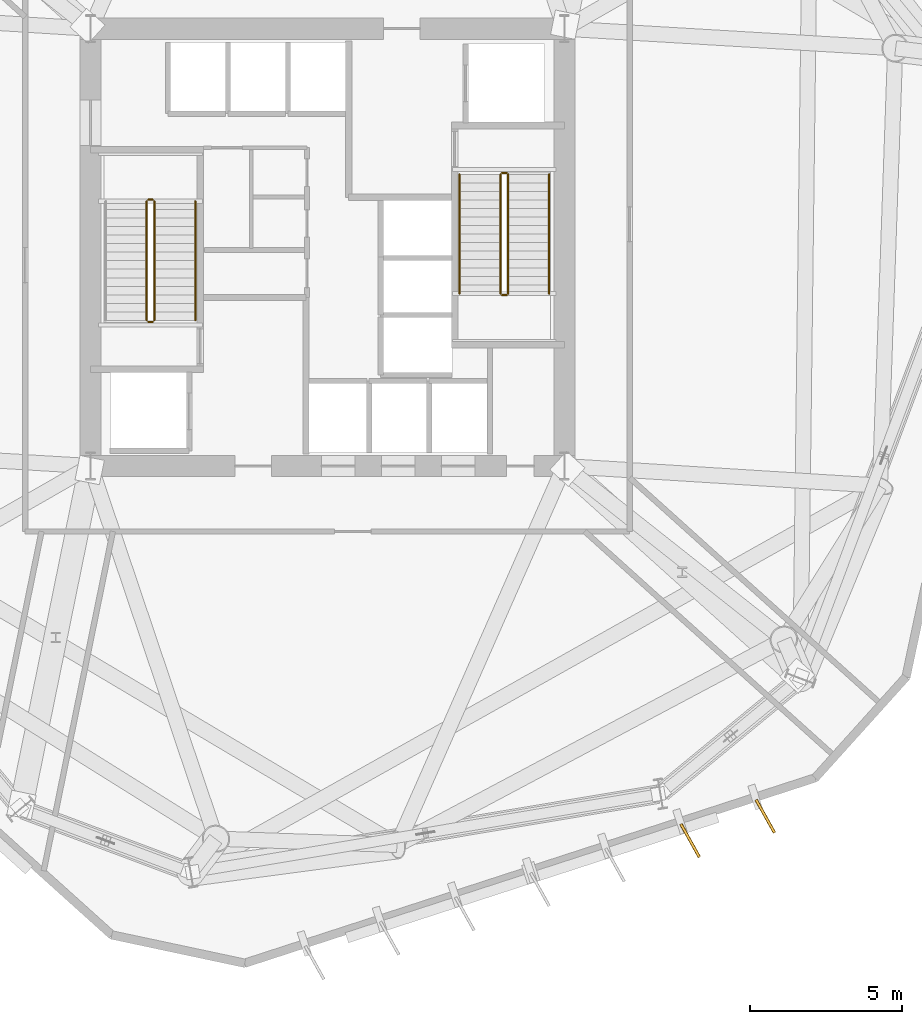
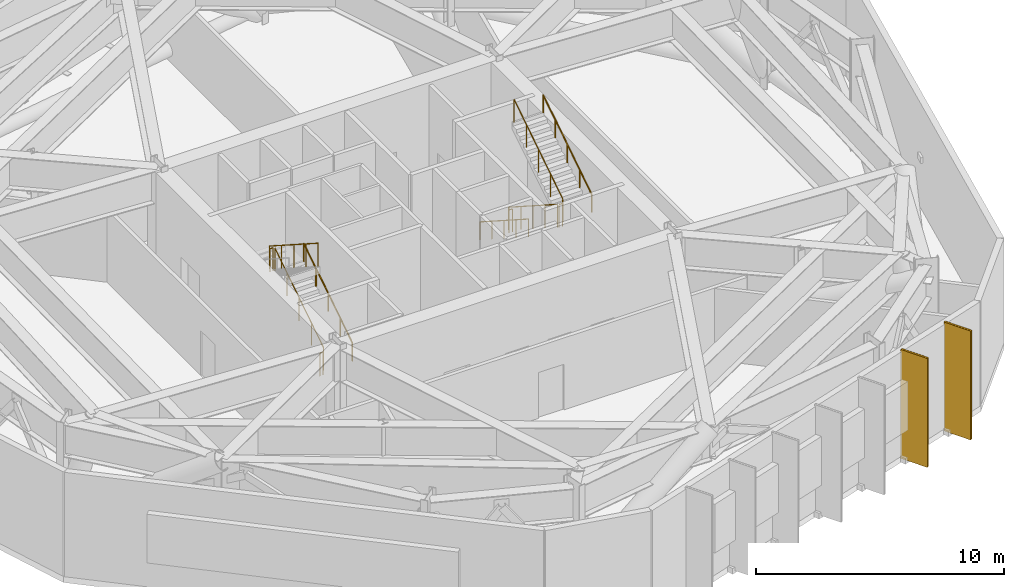
# One storey, part 11 of 12: 11 railings, 2 coverings, 2 shading devices.
"""IFC4 building model written with IfcOpenShell, lengths in metres."""

import ifcopenshell
import ifcopenshell.guid

model = None  # the IFC model being written
_history = None  # IfcOwnerHistory: only IFC2X3 demands one
_inside = {}  # id of a spatial element -> (the spatial element, [elements in it])
_under = {}  # id of a project, library or spatial element -> (it, [spatial elements below it])
_declared = {}  # id of a project -> (the project, [libraries it declares])
_typed = {}  # id of a type object -> (the type object, [elements of that type])
_made_of = {}  # id of a material, layer set ... -> (it, [elements and type objects made of it])


def new_model(schema):
    """Start an empty IFC model of exactly this schema.

    Asked for "IFC4X3", IfcOpenShell would pick the latest addendum, in which some entities
    have other attributes; the version numbers below select the first issue.
    IFC2X3 requires an IfcOwnerHistory on every rooted entity: one is made here for all.
    """
    global model, _history
    if schema == "IFC4X3":
        model = ifcopenshell.file(schema_version=(4, 3, 0, 0))
    else:
        model = ifcopenshell.file(schema=schema)
    _inside.clear()
    _under.clear()
    _declared.clear()
    _typed.clear()
    _made_of.clear()
    _history = None
    if model.schema == "IFC2X3":
        org = make("IfcOrganization", Name="unknown")
        user = make(
            "IfcPersonAndOrganization",
            ThePerson=make("IfcPerson", FamilyName="unknown"),
            TheOrganization=org,
        )
        app = make(
            "IfcApplication",
            ApplicationDeveloper=org,
            Version="unknown",
            ApplicationFullName="unknown",
            ApplicationIdentifier="unknown",
        )
        _history = make(
            "IfcOwnerHistory",
            OwningUser=user,
            OwningApplication=app,
            ChangeAction="ADDED",
            CreationDate=0,
        )
    return model


def make(cls, **values):
    """One entity of the class cls with the attributes given. An attribute that is None is left unset."""
    return model.create_entity(
        cls, **{name: value for name, value in values.items() if value is not None}
    )


def rooted(cls, **values):
    """An entity with a GlobalId (a new one), such as an element, a storey or a relation."""
    return make(cls, GlobalId=ifcopenshell.guid.new(), OwnerHistory=_history, **values)


def si_unit(unit_type, name, prefix=None):
    """IfcSIUnit, for example si_unit("LENGTHUNIT", "METRE", prefix="MILLI")."""
    return make("IfcSIUnit", UnitType=unit_type, Prefix=prefix, Name=name)


def assignment(units):
    """IfcUnitAssignment: the units of a project."""
    return None if units is None else make("IfcUnitAssignment", Units=units)


def point(xyz):
    """IfcCartesianPoint."""
    return None if xyz is None else make("IfcCartesianPoint", Coordinates=xyz)


def direction(xyz):
    """IfcDirection."""
    return None if xyz is None else make("IfcDirection", DirectionRatios=xyz)


def frame(location, z_axis=None, x_axis=None):
    """IfcAxis2Placement3D, a coordinate frame: its origin and axes. An axis left out is left unset."""
    return make(
        "IfcAxis2Placement3D",
        Location=point(location),
        Axis=direction(z_axis),
        RefDirection=direction(x_axis),
    )


def frame_2d(location, x_axis=None):
    """IfcAxis2Placement2D, a coordinate frame in the plane: its origin and x axis."""
    return make(
        "IfcAxis2Placement2D", Location=point(location), RefDirection=direction(x_axis)
    )


def origin():
    """The frame at (0, 0, 0) with its axes left unset."""
    return frame((0.0, 0.0, 0.0))


def origin_2d():
    """The frame at (0, 0) in the plane with its x axis left unset."""
    return frame_2d((0.0, 0.0))


def place(relative_to, where):
    """IfcLocalPlacement: puts the frame where relative to a parent placement (None: the world)."""
    return make(
        "IfcLocalPlacement", PlacementRelTo=relative_to, RelativePlacement=where
    )


def context(
    kind, dimensions, precision=None, world=None, true_north=None, identifier=None
):
    """IfcGeometricRepresentationContext, for example the 3D "Model" context."""
    return make(
        "IfcGeometricRepresentationContext",
        ContextIdentifier=identifier,
        ContextType=kind,
        CoordinateSpaceDimension=dimensions,
        Precision=precision,
        WorldCoordinateSystem=world,
        TrueNorth=true_north,
    )


def subcontext(parent, identifier, kind, view, scale=None):
    """IfcGeometricRepresentationSubContext, for example "Body" below "Model"."""
    return make(
        "IfcGeometricRepresentationSubContext",
        ContextIdentifier=identifier,
        ContextType=kind,
        ParentContext=parent,
        TargetScale=scale,
        TargetView=view,
    )


def project(units=None, contexts=None):
    """IfcProject with its units and contexts."""
    return rooted(
        "IfcProject",
        Name="project",
        RepresentationContexts=contexts,
        UnitsInContext=assignment(units),
    )


def spatial(cls, under=None, at=None, **own):
    """A site, building, storey or space (cls), placed at a placement, below another one or the project."""
    s = rooted(cls, ObjectPlacement=at, **own)
    if under is not None:
        _under.setdefault(under.id(), (under, []))[1].append(s)
    return s


def profile(cls, at=None, kind="AREA", **sizes):
    """A parametric profile (cls). Its sizes go by their IFC names, for example OverallWidth=200.0."""
    return make(cls, ProfileType=kind, Position=at, **sizes)


def rectangle(**sizes):
    """IfcRectangleProfileDef."""
    return profile("IfcRectangleProfileDef", **sizes)


def circle(**sizes):
    """IfcCircleProfileDef."""
    return profile("IfcCircleProfileDef", **sizes)


def extrude(swept, where, along, depth):
    """IfcExtrudedAreaSolid: the profile swept, set in the frame where, extruded along a direction by depth."""
    return make(
        "IfcExtrudedAreaSolid",
        SweptArea=swept,
        Position=where,
        ExtrudedDirection=direction(along),
        Depth=depth,
    )


def shape(context_of_items, identifier, shape_type, items):
    """IfcShapeRepresentation: the items that make up one representation, for example the "Body"."""
    return make(
        "IfcShapeRepresentation",
        ContextOfItems=context_of_items,
        RepresentationIdentifier=identifier,
        RepresentationType=shape_type,
        Items=items,
    )


def material(Name=None, Category=None):
    """IfcMaterial."""
    return make("IfcMaterial", Name=Name, Category=Category)


def layer(
    of_material, thickness, ventilated=None, Name=None, Category=None, Priority=None
):
    """IfcMaterialLayer: one layer of a wall or slab, of a material (None: an air gap)."""
    return make(
        "IfcMaterialLayer",
        Material=of_material,
        LayerThickness=thickness,
        IsVentilated=ventilated,
        Name=Name,
        Category=Category,
        Priority=Priority,
    )


def layer_set(layers, Name=None):
    """IfcMaterialLayerSet."""
    return make("IfcMaterialLayerSet", MaterialLayers=layers, LayerSetName=Name)


def made_of(thing, what):
    """Note that an element or type object is made of a material, layer set ...; save() writes the relation."""
    if what is not None:
        _made_of.setdefault(what.id(), (what, []))[1].append(thing)
    return thing


def type_object(cls, material=None, **own):
    """A type object (cls), such as IfcWallType, which elements share."""
    return made_of(rooted(cls, **own), material)


def element(
    cls,
    number,
    at=None,
    inside=None,
    cuts=None,
    type_object=None,
    material=None,
    context=None,
    identifier="Body",
    shape_type=None,
    held_by="IfcProductDefinitionShape",
    body=None,
    shapes=None,
    **own,
):
    """One element of the class cls, such as IfcWall. Its Tag is "e" and its number.

    at: its placement. inside: the storey or other place that contains it. cuts: it is an
    opening in that element (IfcRelVoidsElement). A single representation is given by context,
    identifier, shape_type and body (its items); several are given by shapes. held_by: the class
    of the entity that holds the representations. save() writes the other relations.
    """
    e = rooted(cls, Tag="e%d" % number, ObjectPlacement=at, **own)
    if body is not None:
        shapes = [shape(context, identifier, shape_type, body)]
    if shapes is not None:
        e.Representation = make(held_by, Representations=shapes)
    if inside is not None:
        _inside.setdefault(inside.id(), (inside, []))[1].append(e)
    if cuts is not None:
        rooted(
            "IfcRelVoidsElement", RelatingBuildingElement=cuts, RelatedOpeningElement=e
        )
    if type_object is not None:
        _typed.setdefault(type_object.id(), (type_object, []))[1].append(e)
    return made_of(e, material)


def aggregate(whole, parts):
    """IfcRelAggregates: a whole, such as a stair, and the parts it consists of."""
    return rooted("IfcRelAggregates", RelatingObject=whole, RelatedObjects=parts)


def save(model, path):
    """Write the relations noted so far, then the file.

    IfcRelAggregates (storeys below a building ...), IfcRelContainedInSpatialStructure (elements
    in a storey), IfcRelDefinesByType, IfcRelAssociatesMaterial and IfcRelDeclares: one each for
    every whole, place, type object, material and project.
    """
    for whole, parts in _under.values():
        aggregate(whole, parts)
    for where, things in _inside.values():
        rooted(
            "IfcRelContainedInSpatialStructure",
            RelatedElements=things,
            RelatingStructure=where,
        )
    for kind, things in _typed.values():
        rooted("IfcRelDefinesByType", RelatedObjects=things, RelatingType=kind)
    for what, things in _made_of.values():
        rooted("IfcRelAssociatesMaterial", RelatedObjects=things, RelatingMaterial=what)
    for by, libraries in _declared.values():
        rooted("IfcRelDeclares", RelatingContext=by, RelatedDefinitions=libraries)
    model.write(path)


model = new_model("IFC4")

# Units and contexts
model_context = context("Model", 3, precision=1e-05, world=origin(), true_north=direction((0.0, 1.0)))
body_context = subcontext(model_context, "Body", "Model", "MODEL_VIEW")
ifc_project = project(units=[si_unit("LENGTHUNIT", "METRE"), si_unit("AREAUNIT", "SQUARE_METRE"), si_unit("VOLUMEUNIT", "CUBIC_METRE"), si_unit("PLANEANGLEUNIT", "RADIAN"), si_unit("MASSUNIT", "GRAM", prefix="KILO")], contexts=[model_context])

# Site, building, storey
site_placement = place(None, origin())
site = spatial("IfcSite", under=ifc_project, at=site_placement, CompositionType="ELEMENT")
building_placement = place(site_placement, origin())
building = spatial("IfcBuilding", under=site, at=building_placement, Name="Kranzbogen Civic Tower", CompositionType="ELEMENT")
storey_placement = place(building_placement, frame((0.0, 0.0, 92.0)))
storey = spatial("IfcBuildingStorey", under=building, at=storey_placement, Name="L22", CompositionType="ELEMENT", Elevation=92.0)

# Coverings
ifc_material_1 = material(Name="Pale Anodised Aluminium", Category="aluminium")
ifc_layer = layer(ifc_material_1, 0.02490234375, Name="Pale Anodised Aluminium")
ifc_layer_set = layer_set([ifc_layer], Name="Pale Anodised Aluminium")
covering_type = type_object("IfcCoveringType", Name="Anodised Aluminium Vertical Fin Cladding 25 mm", PredefinedType="CLADDING", material=ifc_layer_set)
for number, where, z_axis, x_axis, name in (
    (1, (36.93994140625, 5.470947265625, -0.14013671875), (0.0, 0.0, 1.0), (0.487524445167, -0.873109337577, 0.0), "L22 vertical fin pale-metal cladding F5-6"),
    (2, (39.4130859375, 6.27392578125, -0.14013671875), (0.0, 0.0, 1.0), (0.487524445167, -0.873109337577, 0.0), "L22 vertical fin pale-metal cladding F5-7"),
):
    element("IfcCovering", number, at=place(storey_placement, frame(where, z_axis=z_axis, x_axis=x_axis)), inside=storey, type_object=covering_type, Name=name, PredefinedType="CLADDING", context=body_context, shape_type="SweptSolid", body=[
        extrude(rectangle(XDim=1.25, YDim=0.10009765625, at=origin_2d()), origin(), (0.0, 0.0, 1.0), 5.360107421875),
    ])

# Shading devices
ifc_material_2 = material(Name="Anodised Bronze Aluminium", Category="aluminium")
shading_device_type = type_object("IfcShadingDeviceType", Name="Anodised Bronze Vertical Facade Fin 1250x80", PredefinedType="USERDEFINED", material=ifc_material_2)
for number, where, z_axis, x_axis, name in (
    (3, (36.93994140625, 5.470947265625, -0.14013671875), (0.0, 0.0, 1.0), (0.487524445167, -0.873109337577, 0.0), "L22 vertical exterior shading fin F5-6"),
    (4, (39.4130859375, 6.27392578125, -0.14013671875), (0.0, 0.0, 1.0), (0.487524445167, -0.873109337577, 0.0), "L22 vertical exterior shading fin F5-7"),
):
    element("IfcShadingDevice", number, at=place(storey_placement, frame(where, z_axis=z_axis, x_axis=x_axis)), inside=storey, type_object=shading_device_type, Name=name, ObjectType="FIN", PredefinedType="USERDEFINED", context=body_context, shape_type="SweptSolid", body=[
        extrude(rectangle(XDim=1.25, YDim=0.080078125, at=origin_2d()), origin(), (0.0, 0.0, 1.0), 5.360107421875),
    ])

# Railings
ifc_material_3 = material(Name="Steel S355", Category="steel")
railing_type_1 = type_object("IfcRailingType", Name="Internal Stair and Void Steel Guardrail 1150", PredefinedType="GUARDRAIL", material=ifc_material_3)
railing_1_placement = place(storey_placement, frame((19.300048828125, 22.60009765625, 0.179931640625)))
element("IfcRailing", 5, at=railing_1_placement, inside=storey, type_object=railing_type_1, Name="L22 ST-T1 stair guard 1", PredefinedType="GUARDRAIL", context=body_context, shape_type="SweptSolid", body=[
    extrude(circle(Radius=0.02392578125, at=origin_2d()), frame((0.0, 0.0, 1.1259765625), z_axis=(0.0, 0.841171666519, 0.540768182723), x_axis=(-1.0, 0.0, 0.0)), (0.0, 0.0, 1.0), 4.66015625),
    extrude(circle(Radius=0.02099609375, at=origin_2d()), origin(), (0.0, 0.0, 1.0), 1.101806640625),
    extrude(circle(Radius=0.02099609375, at=origin_2d()), frame((0.0, 0.97998046875, 0.6298828125)), (0.0, 0.0, 1.0), 1.101806640625),
    extrude(circle(Radius=0.02099609375, at=origin_2d()), frame((0.0, 1.9599609375, 1.260009765625)), (0.0, 0.0, 1.0), 1.101806640625),
    extrude(circle(Radius=0.02099609375, at=origin_2d()), frame((0.0, 2.93994140625, 1.89013671875)), (0.0, 0.0, 1.0), 1.101806640625),
    extrude(circle(Radius=0.02099609375, at=origin_2d()), frame((0.0, 3.919921875, 2.52001953125)), (0.0, 0.0, 1.0), 1.101806640625),
])
railing_2_placement = place(storey_placement, frame((19.25, 26.570068359375, 2.699951171875)))
element("IfcRailing", 6, at=railing_2_placement, inside=storey, type_object=railing_type_1, Name="L22 ST-T1 stair guard 2", PredefinedType="GUARDRAIL", context=body_context, shape_type="SweptSolid", body=[
    extrude(circle(Radius=0.02392578125, at=origin_2d()), frame((0.0, 0.0, 1.1259765625), z_axis=(-1.0, 0.0, 0.0), x_axis=(0.0, -1.0, 0.0)), (0.0, 0.0, 1.0), 0.14990234375),
    extrude(circle(Radius=0.02099609375, at=origin_2d()), origin(), (0.0, 0.0, 1.0), 1.101806640625),
    extrude(circle(Radius=0.02099609375, at=origin_2d()), frame((-0.14990234375, 0.0, 0.0)), (0.0, 0.0, 1.0), 1.101806640625),
])
railing_3_placement = place(storey_placement, frame((19.050048828125, 26.52001953125, 2.8798828125)))
element("IfcRailing", 7, at=railing_3_placement, inside=storey, type_object=railing_type_1, Name="L22 ST-T1 stair guard 3", PredefinedType="GUARDRAIL", context=body_context, shape_type="SweptSolid", body=[
    extrude(circle(Radius=0.02392578125, at=origin_2d()), frame((0.0, 0.0, 1.1259765625), z_axis=(0.0, -0.841171666519, 0.540768182723), x_axis=(1.0, 0.0, 0.0)), (0.0, 0.0, 1.0), 4.66015625),
    extrude(circle(Radius=0.02099609375, at=origin_2d()), origin(), (0.0, 0.0, 1.0), 1.101806640625),
    extrude(circle(Radius=0.02099609375, at=origin_2d()), frame((0.0, -0.97998046875, 0.6298828125)), (0.0, 0.0, 1.0), 1.101806640625),
    extrude(circle(Radius=0.02099609375, at=origin_2d()), frame((0.0, -1.9599609375, 1.260009765625)), (0.0, 0.0, 1.0), 1.101806640625),
    extrude(circle(Radius=0.02099609375, at=origin_2d()), frame((0.0, -2.93994140625, 1.89013671875)), (0.0, 0.0, 1.0), 1.101806640625),
    extrude(circle(Radius=0.02099609375, at=origin_2d()), frame((0.0, -3.919921875, 2.52001953125)), (0.0, 0.0, 1.0), 1.101806640625),
])
railing_4_placement = place(storey_placement, frame((19.25, 22.550048828125, 0.0)))
element("IfcRailing", 8, at=railing_4_placement, inside=storey, type_object=railing_type_1, Name="L22 ST-T1 stair guard 4", PredefinedType="GUARDRAIL", context=body_context, shape_type="SweptSolid", body=[
    extrude(circle(Radius=0.02392578125, at=origin_2d()), frame((0.0, 0.0, 1.1259765625), z_axis=(-1.0, 0.0, 0.0), x_axis=(0.0, -1.0, 0.0)), (0.0, 0.0, 1.0), 0.14990234375),
    extrude(circle(Radius=0.02099609375, at=origin_2d()), origin(), (0.0, 0.0, 1.0), 1.101806640625),
    extrude(circle(Radius=0.02099609375, at=origin_2d()), frame((-0.14990234375, 0.0, 0.0)), (0.0, 0.0, 1.0), 1.101806640625),
])
railing_5_placement = place(storey_placement, frame((30.699951171875, 27.39990234375, 0.179931640625)))
element("IfcRailing", 9, at=railing_5_placement, inside=storey, type_object=railing_type_1, Name="L22 ST-T2 stair guard 1", PredefinedType="GUARDRAIL", context=body_context, shape_type="SweptSolid", body=[
    extrude(circle(Radius=0.02392578125, at=origin_2d()), frame((0.0, 0.0, 1.1259765625), z_axis=(0.0, -0.841171666519, 0.540768182723), x_axis=(1.0, 0.0, 0.0)), (0.0, 0.0, 1.0), 4.66015625),
    extrude(circle(Radius=0.02099609375, at=origin_2d()), origin(), (0.0, 0.0, 1.0), 1.101806640625),
    extrude(circle(Radius=0.02099609375, at=origin_2d()), frame((0.0, -0.97998046875, 0.6298828125)), (0.0, 0.0, 1.0), 1.101806640625),
    extrude(circle(Radius=0.02099609375, at=origin_2d()), frame((0.0, -1.9599609375, 1.260009765625)), (0.0, 0.0, 1.0), 1.101806640625),
    extrude(circle(Radius=0.02099609375, at=origin_2d()), frame((0.0, -2.93994140625, 1.89013671875)), (0.0, 0.0, 1.0), 1.101806640625),
    extrude(circle(Radius=0.02099609375, at=origin_2d()), frame((0.0, -3.919921875, 2.52001953125)), (0.0, 0.0, 1.0), 1.101806640625),
])
railing_6_placement = place(storey_placement, frame((30.75, 23.429931640625, 2.699951171875)))
element("IfcRailing", 10, at=railing_6_placement, inside=storey, type_object=railing_type_1, Name="L22 ST-T2 stair guard 2", PredefinedType="GUARDRAIL", context=body_context, shape_type="SweptSolid", body=[
    extrude(circle(Radius=0.02392578125, at=origin_2d()), frame((0.0, 0.0, 1.1259765625), z_axis=(1.0, 0.0, 0.0), x_axis=(0.0, 1.0, 0.0)), (0.0, 0.0, 1.0), 0.14990234375),
    extrude(circle(Radius=0.02099609375, at=origin_2d()), origin(), (0.0, 0.0, 1.0), 1.101806640625),
    extrude(circle(Radius=0.02099609375, at=origin_2d()), frame((0.14990234375, 0.0, 0.0)), (0.0, 0.0, 1.0), 1.101806640625),
])
railing_7_placement = place(storey_placement, frame((30.949951171875, 23.47998046875, 2.8798828125)))
element("IfcRailing", 11, at=railing_7_placement, inside=storey, type_object=railing_type_1, Name="L22 ST-T2 stair guard 3", PredefinedType="GUARDRAIL", context=body_context, shape_type="SweptSolid", body=[
    extrude(circle(Radius=0.02392578125, at=origin_2d()), frame((0.0, 0.0, 1.1259765625), z_axis=(0.0, 0.841171666519, 0.540768182723), x_axis=(-1.0, 0.0, 0.0)), (0.0, 0.0, 1.0), 4.66015625),
    extrude(circle(Radius=0.02099609375, at=origin_2d()), origin(), (0.0, 0.0, 1.0), 1.101806640625),
    extrude(circle(Radius=0.02099609375, at=origin_2d()), frame((0.0, 0.97998046875, 0.6298828125)), (0.0, 0.0, 1.0), 1.101806640625),
    extrude(circle(Radius=0.02099609375, at=origin_2d()), frame((0.0, 1.9599609375, 1.260009765625)), (0.0, 0.0, 1.0), 1.101806640625),
    extrude(circle(Radius=0.02099609375, at=origin_2d()), frame((0.0, 2.93994140625, 1.89013671875)), (0.0, 0.0, 1.0), 1.101806640625),
    extrude(circle(Radius=0.02099609375, at=origin_2d()), frame((0.0, 3.919921875, 2.52001953125)), (0.0, 0.0, 1.0), 1.101806640625),
])
railing_8_placement = place(storey_placement, frame((30.75, 27.449951171875, 0.0)))
element("IfcRailing", 12, at=railing_8_placement, inside=storey, type_object=railing_type_1, Name="L22 ST-T2 stair guard 4", PredefinedType="GUARDRAIL", context=body_context, shape_type="SweptSolid", body=[
    extrude(circle(Radius=0.02392578125, at=origin_2d()), frame((0.0, 0.0, 1.1259765625), z_axis=(1.0, 0.0, 0.0), x_axis=(0.0, 1.0, 0.0)), (0.0, 0.0, 1.0), 0.14990234375),
    extrude(circle(Radius=0.02099609375, at=origin_2d()), origin(), (0.0, 0.0, 1.0), 1.101806640625),
    extrude(circle(Radius=0.02099609375, at=origin_2d()), frame((0.14990234375, 0.0, 0.0)), (0.0, 0.0, 1.0), 1.101806640625),
])
railing_type_2 = type_object("IfcRailingType", Name="Tubular Stainless Stair Wall Handrail 900", PredefinedType="HANDRAIL", material=ifc_material_1)
railing_9_placement = place(storey_placement, frame((20.64990234375, 22.60009765625, 0.179931640625)))
element("IfcRailing", 13, at=railing_9_placement, inside=storey, type_object=railing_type_2, Name="L22 ST-T1 stair handrail 1", PredefinedType="HANDRAIL", context=body_context, shape_type="SweptSolid", body=[
    extrude(circle(Radius=0.02392578125, at=origin_2d()), frame((0.0, 0.0, 0.8759765625), z_axis=(0.0, 0.841171666519, 0.540768182723), x_axis=(-1.0, 0.0, 0.0)), (0.0, 0.0, 1.0), 4.66015625),
    extrude(circle(Radius=0.02099609375, at=origin_2d()), origin(), (0.0, 0.0, 1.0), 0.851806640625),
    extrude(circle(Radius=0.02099609375, at=origin_2d()), frame((0.0, 0.97998046875, 0.6298828125)), (0.0, 0.0, 1.0), 0.851806640625),
    extrude(circle(Radius=0.02099609375, at=origin_2d()), frame((0.0, 1.9599609375, 1.260009765625)), (0.0, 0.0, 1.0), 0.851806640625),
    extrude(circle(Radius=0.02099609375, at=origin_2d()), frame((0.0, 2.93994140625, 1.89013671875)), (0.0, 0.0, 1.0), 0.851806640625),
    extrude(circle(Radius=0.02099609375, at=origin_2d()), frame((0.0, 3.919921875, 2.52001953125)), (0.0, 0.0, 1.0), 0.851806640625),
])
railing_10_placement = place(storey_placement, frame((29.35009765625, 27.39990234375, 0.179931640625)))
element("IfcRailing", 14, at=railing_10_placement, inside=storey, type_object=railing_type_2, Name="L22 ST-T2 stair handrail 1", PredefinedType="HANDRAIL", context=body_context, shape_type="SweptSolid", body=[
    extrude(circle(Radius=0.02392578125, at=origin_2d()), frame((0.0, 0.0, 0.8759765625), z_axis=(0.0, -0.841171666519, 0.540768182723), x_axis=(1.0, 0.0, 0.0)), (0.0, 0.0, 1.0), 4.66015625),
    extrude(circle(Radius=0.02099609375, at=origin_2d()), origin(), (0.0, 0.0, 1.0), 0.851806640625),
    extrude(circle(Radius=0.02099609375, at=origin_2d()), frame((0.0, -0.97998046875, 0.6298828125)), (0.0, 0.0, 1.0), 0.851806640625),
    extrude(circle(Radius=0.02099609375, at=origin_2d()), frame((0.0, -1.9599609375, 1.260009765625)), (0.0, 0.0, 1.0), 0.851806640625),
    extrude(circle(Radius=0.02099609375, at=origin_2d()), frame((0.0, -2.93994140625, 1.89013671875)), (0.0, 0.0, 1.0), 0.851806640625),
    extrude(circle(Radius=0.02099609375, at=origin_2d()), frame((0.0, -3.919921875, 2.52001953125)), (0.0, 0.0, 1.0), 0.851806640625),
])
railing_11_placement = place(storey_placement, frame((32.300048828125, 23.47998046875, 2.8798828125)))
element("IfcRailing", 15, at=railing_11_placement, inside=storey, type_object=railing_type_2, Name="L22 ST-T2 stair handrail 2", PredefinedType="HANDRAIL", context=body_context, shape_type="SweptSolid", body=[
    extrude(circle(Radius=0.02392578125, at=origin_2d()), frame((0.0, 0.0, 0.8759765625), z_axis=(0.0, 0.841171666519, 0.540768182723), x_axis=(-1.0, 0.0, 0.0)), (0.0, 0.0, 1.0), 4.66015625),
    extrude(circle(Radius=0.02099609375, at=origin_2d()), origin(), (0.0, 0.0, 1.0), 0.851806640625),
    extrude(circle(Radius=0.02099609375, at=origin_2d()), frame((0.0, 0.97998046875, 0.6298828125)), (0.0, 0.0, 1.0), 0.851806640625),
    extrude(circle(Radius=0.02099609375, at=origin_2d()), frame((0.0, 1.9599609375, 1.260009765625)), (0.0, 0.0, 1.0), 0.851806640625),
    extrude(circle(Radius=0.02099609375, at=origin_2d()), frame((0.0, 2.93994140625, 1.89013671875)), (0.0, 0.0, 1.0), 0.851806640625),
    extrude(circle(Radius=0.02099609375, at=origin_2d()), frame((0.0, 3.919921875, 2.52001953125)), (0.0, 0.0, 1.0), 0.851806640625),
])

save(model, "model.ifc")
